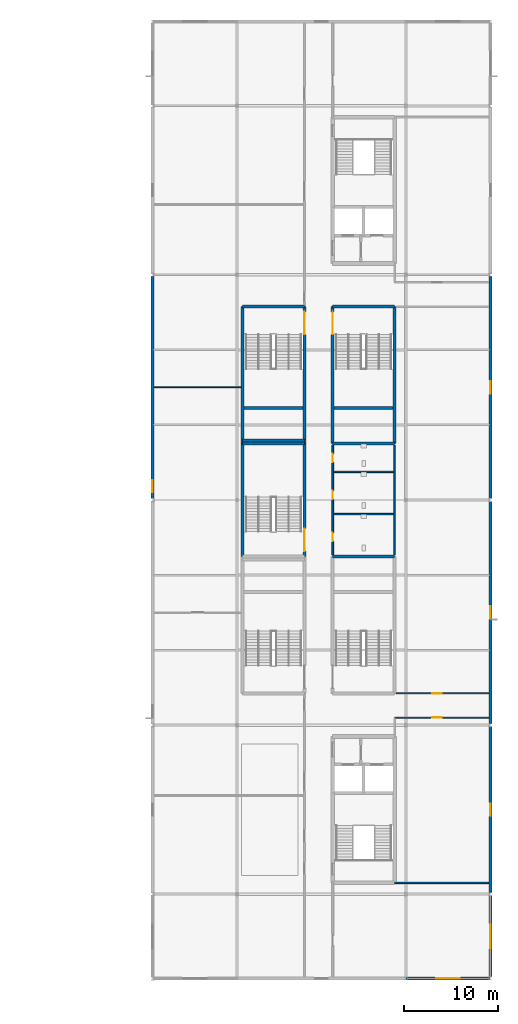
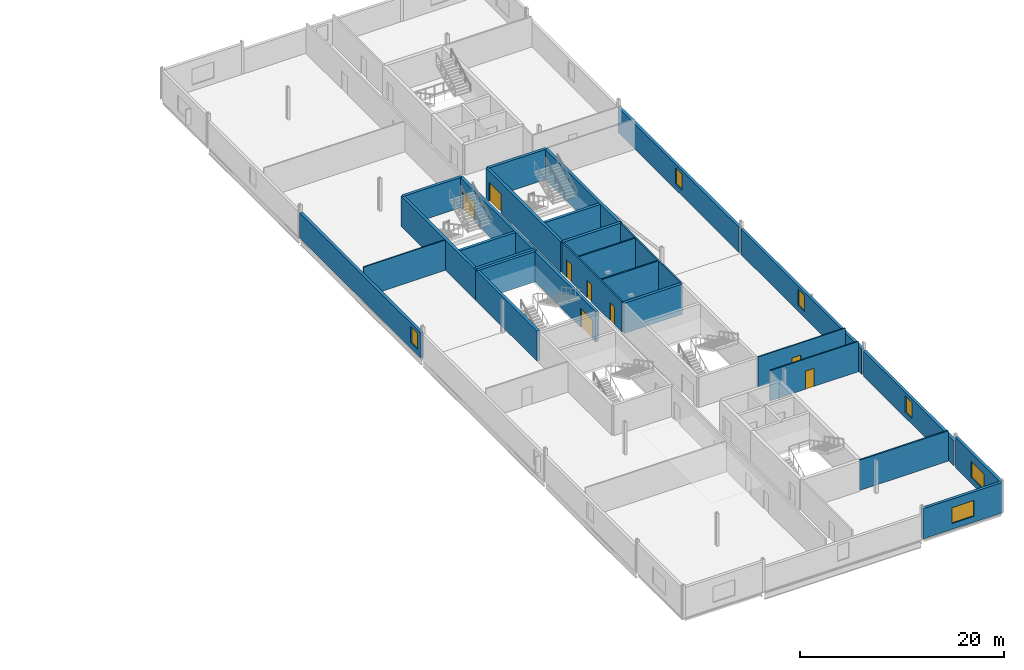
# One storey, part 19 of 31: 28 walls, 8 doors, 6 windows, 14 openings.
"""IFC4 building model written with IfcOpenShell, lengths in metres."""

import ifcopenshell
import ifcopenshell.guid

model = None  # the IFC model being written
_history = None  # IfcOwnerHistory: only IFC2X3 demands one
_inside = {}  # id of a spatial element -> (the spatial element, [elements in it])
_under = {}  # id of a project, library or spatial element -> (it, [spatial elements below it])
_declared = {}  # id of a project -> (the project, [libraries it declares])
_typed = {}  # id of a type object -> (the type object, [elements of that type])
_made_of = {}  # id of a material, layer set ... -> (it, [elements and type objects made of it])


def new_model(schema):
    """Start an empty IFC model of exactly this schema.

    Asked for "IFC4X3", IfcOpenShell would pick the latest addendum, in which some entities
    have other attributes; the version numbers below select the first issue.
    IFC2X3 requires an IfcOwnerHistory on every rooted entity: one is made here for all.
    """
    global model, _history
    if schema == "IFC4X3":
        model = ifcopenshell.file(schema_version=(4, 3, 0, 0))
    else:
        model = ifcopenshell.file(schema=schema)
    _inside.clear()
    _under.clear()
    _declared.clear()
    _typed.clear()
    _made_of.clear()
    _history = None
    if model.schema == "IFC2X3":
        org = make("IfcOrganization", Name="unknown")
        user = make(
            "IfcPersonAndOrganization",
            ThePerson=make("IfcPerson", FamilyName="unknown"),
            TheOrganization=org,
        )
        app = make(
            "IfcApplication",
            ApplicationDeveloper=org,
            Version="unknown",
            ApplicationFullName="unknown",
            ApplicationIdentifier="unknown",
        )
        _history = make(
            "IfcOwnerHistory",
            OwningUser=user,
            OwningApplication=app,
            ChangeAction="ADDED",
            CreationDate=0,
        )
    return model


def make(cls, **values):
    """One entity of the class cls with the attributes given. An attribute that is None is left unset."""
    return model.create_entity(
        cls, **{name: value for name, value in values.items() if value is not None}
    )


def rooted(cls, **values):
    """An entity with a GlobalId (a new one), such as an element, a storey or a relation."""
    return make(cls, GlobalId=ifcopenshell.guid.new(), OwnerHistory=_history, **values)


def si_unit(unit_type, name, prefix=None):
    """IfcSIUnit, for example si_unit("LENGTHUNIT", "METRE", prefix="MILLI")."""
    return make("IfcSIUnit", UnitType=unit_type, Prefix=prefix, Name=name)


def assignment(units):
    """IfcUnitAssignment: the units of a project."""
    return None if units is None else make("IfcUnitAssignment", Units=units)


def point(xyz):
    """IfcCartesianPoint."""
    return None if xyz is None else make("IfcCartesianPoint", Coordinates=xyz)


def direction(xyz):
    """IfcDirection."""
    return None if xyz is None else make("IfcDirection", DirectionRatios=xyz)


def frame(location, z_axis=None, x_axis=None):
    """IfcAxis2Placement3D, a coordinate frame: its origin and axes. An axis left out is left unset."""
    return make(
        "IfcAxis2Placement3D",
        Location=point(location),
        Axis=direction(z_axis),
        RefDirection=direction(x_axis),
    )


def frame_2d(location, x_axis=None):
    """IfcAxis2Placement2D, a coordinate frame in the plane: its origin and x axis."""
    return make(
        "IfcAxis2Placement2D", Location=point(location), RefDirection=direction(x_axis)
    )


def origin():
    """The frame at (0, 0, 0) with its axes left unset."""
    return frame((0.0, 0.0, 0.0))


def place(relative_to, where):
    """IfcLocalPlacement: puts the frame where relative to a parent placement (None: the world)."""
    return make(
        "IfcLocalPlacement", PlacementRelTo=relative_to, RelativePlacement=where
    )


def context(
    kind, dimensions, precision=None, world=None, true_north=None, identifier=None
):
    """IfcGeometricRepresentationContext, for example the 3D "Model" context."""
    return make(
        "IfcGeometricRepresentationContext",
        ContextIdentifier=identifier,
        ContextType=kind,
        CoordinateSpaceDimension=dimensions,
        Precision=precision,
        WorldCoordinateSystem=world,
        TrueNorth=true_north,
    )


def subcontext(parent, identifier, kind, view, scale=None):
    """IfcGeometricRepresentationSubContext, for example "Body" below "Model"."""
    return make(
        "IfcGeometricRepresentationSubContext",
        ContextIdentifier=identifier,
        ContextType=kind,
        ParentContext=parent,
        TargetScale=scale,
        TargetView=view,
    )


def project(units=None, contexts=None):
    """IfcProject with its units and contexts."""
    return rooted(
        "IfcProject",
        Name="project",
        RepresentationContexts=contexts,
        UnitsInContext=assignment(units),
    )


def spatial(cls, under=None, at=None, **own):
    """A site, building, storey or space (cls), placed at a placement, below another one or the project."""
    s = rooted(cls, ObjectPlacement=at, **own)
    if under is not None:
        _under.setdefault(under.id(), (under, []))[1].append(s)
    return s


def profile(cls, at=None, kind="AREA", **sizes):
    """A parametric profile (cls). Its sizes go by their IFC names, for example OverallWidth=200.0."""
    return make(cls, ProfileType=kind, Position=at, **sizes)


def rectangle(**sizes):
    """IfcRectangleProfileDef."""
    return profile("IfcRectangleProfileDef", **sizes)


def extrude(swept, where, along, depth):
    """IfcExtrudedAreaSolid: the profile swept, set in the frame where, extruded along a direction by depth."""
    return make(
        "IfcExtrudedAreaSolid",
        SweptArea=swept,
        Position=where,
        ExtrudedDirection=direction(along),
        Depth=depth,
    )


def shape(context_of_items, identifier, shape_type, items):
    """IfcShapeRepresentation: the items that make up one representation, for example the "Body"."""
    return make(
        "IfcShapeRepresentation",
        ContextOfItems=context_of_items,
        RepresentationIdentifier=identifier,
        RepresentationType=shape_type,
        Items=items,
    )


def material(Name=None, Category=None):
    """IfcMaterial."""
    return make("IfcMaterial", Name=Name, Category=Category)


def layer(
    of_material, thickness, ventilated=None, Name=None, Category=None, Priority=None
):
    """IfcMaterialLayer: one layer of a wall or slab, of a material (None: an air gap)."""
    return make(
        "IfcMaterialLayer",
        Material=of_material,
        LayerThickness=thickness,
        IsVentilated=ventilated,
        Name=Name,
        Category=Category,
        Priority=Priority,
    )


def layer_set(layers, Name=None):
    """IfcMaterialLayerSet."""
    return make("IfcMaterialLayerSet", MaterialLayers=layers, LayerSetName=Name)


def made_of(thing, what):
    """Note that an element or type object is made of a material, layer set ...; save() writes the relation."""
    if what is not None:
        _made_of.setdefault(what.id(), (what, []))[1].append(thing)
    return thing


def type_object(cls, material=None, **own):
    """A type object (cls), such as IfcWallType, which elements share."""
    return made_of(rooted(cls, **own), material)


def element(
    cls,
    number,
    at=None,
    inside=None,
    cuts=None,
    type_object=None,
    material=None,
    context=None,
    identifier="Body",
    shape_type=None,
    held_by="IfcProductDefinitionShape",
    body=None,
    shapes=None,
    **own,
):
    """One element of the class cls, such as IfcWall. Its Tag is "e" and its number.

    at: its placement. inside: the storey or other place that contains it. cuts: it is an
    opening in that element (IfcRelVoidsElement). A single representation is given by context,
    identifier, shape_type and body (its items); several are given by shapes. held_by: the class
    of the entity that holds the representations. save() writes the other relations.
    """
    e = rooted(cls, Tag="e%d" % number, ObjectPlacement=at, **own)
    if body is not None:
        shapes = [shape(context, identifier, shape_type, body)]
    if shapes is not None:
        e.Representation = make(held_by, Representations=shapes)
    if inside is not None:
        _inside.setdefault(inside.id(), (inside, []))[1].append(e)
    if cuts is not None:
        rooted(
            "IfcRelVoidsElement", RelatingBuildingElement=cuts, RelatedOpeningElement=e
        )
    if type_object is not None:
        _typed.setdefault(type_object.id(), (type_object, []))[1].append(e)
    return made_of(e, material)


def fill(opening, filler):
    """IfcRelFillsElement: the door or window that sits in an opening."""
    return rooted(
        "IfcRelFillsElement",
        RelatingOpeningElement=opening,
        RelatedBuildingElement=filler,
    )


def aggregate(whole, parts):
    """IfcRelAggregates: a whole, such as a stair, and the parts it consists of."""
    return rooted("IfcRelAggregates", RelatingObject=whole, RelatedObjects=parts)


def save(model, path):
    """Write the relations noted so far, then the file.

    IfcRelAggregates (storeys below a building ...), IfcRelContainedInSpatialStructure (elements
    in a storey), IfcRelDefinesByType, IfcRelAssociatesMaterial and IfcRelDeclares: one each for
    every whole, place, type object, material and project.
    """
    for whole, parts in _under.values():
        aggregate(whole, parts)
    for where, things in _inside.values():
        rooted(
            "IfcRelContainedInSpatialStructure",
            RelatedElements=things,
            RelatingStructure=where,
        )
    for kind, things in _typed.values():
        rooted("IfcRelDefinesByType", RelatedObjects=things, RelatingType=kind)
    for what, things in _made_of.values():
        rooted("IfcRelAssociatesMaterial", RelatedObjects=things, RelatingMaterial=what)
    for by, libraries in _declared.values():
        rooted("IfcRelDeclares", RelatingContext=by, RelatedDefinitions=libraries)
    model.write(path)


model = new_model("IFC4")

# Units and contexts
model_context = context("Model", 3, precision=1e-05, world=origin(), true_north=direction((0.0, 1.0)))
body_context = subcontext(model_context, "Body", "Model", "MODEL_VIEW")
ifc_project = project(units=[si_unit("LENGTHUNIT", "METRE"), si_unit("AREAUNIT", "SQUARE_METRE"), si_unit("VOLUMEUNIT", "CUBIC_METRE"), si_unit("PLANEANGLEUNIT", "RADIAN"), si_unit("MASSUNIT", "GRAM", prefix="KILO")], contexts=[model_context])

# Site, building, storey
site_placement = place(None, origin())
site = spatial("IfcSite", under=ifc_project, at=site_placement, CompositionType="ELEMENT")
building_placement = place(site_placement, origin())
building = spatial("IfcBuilding", under=site, at=building_placement, Name="Kisiwana Market Hall", CompositionType="ELEMENT")
storey_placement = place(building_placement, frame((0.0, 0.0, 45.60009765625)))
storey = spatial("IfcBuildingStorey", under=building, at=storey_placement, Name="L10", CompositionType="ELEMENT", Elevation=45.60009765625)

# Walls
ifc_material_1 = material(Name="Concrete C40/50", Category="concrete")
ifc_layer_1 = layer(ifc_material_1, 0.320068359375, Name="Reinforced concrete shaft wall")
ifc_layer_set_1 = layer_set([ifc_layer_1], Name="WL-CORE-320")
wall_type_1 = type_object("IfcWallType", Name="WL-CORE-320", PredefinedType="SHEAR", material=ifc_layer_set_1)
for number, where, z_axis, x_axis, name in (
    (1, (181.199951171875, 54.0, 0.0), (0.0, 0.0, 1.0), (1.0, 0.0, 0.0), "Core E3 north shear wall W-2634"),
    (2, (181.199951171875, 66.0, 0.0), (0.0, 0.0, 1.0), (1.0, 0.0, 0.0), "Core E4 south shear wall W-2638"),
    (3, (181.199951171875, 80.60009765625, 0.0), (0.0, 0.0, 1.0), (1.0, 0.0, 0.0), "Core E4 north shear wall W-2639"),
):
    element("IfcWall", number, at=place(storey_placement, frame(where, z_axis=z_axis, x_axis=x_axis)), inside=storey, type_object=wall_type_1, Name=name, PredefinedType="SHEAR", context=body_context, shape_type="SweptSolid", body=[
        extrude(rectangle(XDim=6.60009765625, YDim=0.320068359375, at=frame_2d((3.300048828125, 0.0))), origin(), (0.0, 0.0, 1.0), 3.619873046875),
    ])

# Wall, opening, door
wall_1_placement = place(storey_placement, frame((181.199951171875, 66.0, 0.0), z_axis=(0.0, 0.0, 1.0), x_axis=(0.0, 1.0, 0.0)))
wall_1 = element("IfcWall", 4, at=wall_1_placement, inside=storey, type_object=wall_type_1, Name="Core E4 corridor shear wall W-2640", PredefinedType="SHEAR", context=body_context, shape_type="SweptSolid", body=[
    extrude(rectangle(XDim=14.60009765625, YDim=0.320068359375, at=frame_2d((7.300048828125, 0.0))), origin(), (0.0, 0.0, 1.0), 3.619873046875),
])
opening_1_placement = place(wall_1_placement, frame((11.64990234375, 0.0, 0.0)))
opening_1 = element("IfcOpeningElement", 5, at=opening_1_placement, cuts=wall_1, Name="Opening DR-L10-016", PredefinedType="OPENING", context=body_context, shape_type="SweptSolid", body=[
    extrude(rectangle(XDim=2.39990234375, YDim=2.25, at=frame_2d((1.199951171875, 1.125))), frame((0.0, 0.171875, 0.0), z_axis=(0.0, -1.0, 0.0), x_axis=(1.0, 0.0, 0.0)), (0.0, 0.0, 1.0), 0.343994140625),
])
ifc_material_2 = material(Name="Steel S275", Category="steel")
door_type_1 = type_object("IfcDoorType", Name="DR-STAIR-FD120-2400", OperationType="DOUBLE_DOOR_SINGLE_SWING", PredefinedType="DOOR", material=ifc_material_2)
door_1_placement = place(opening_1_placement, frame((2.39990234375, 0.0, 0.0), z_axis=(0.0, 0.0, 1.0), x_axis=(-1.0, 0.0, 0.0)))
door_1 = element("IfcDoor", 6, at=door_1_placement, inside=storey, type_object=door_type_1, Name="Escape Stair E4 Fire Door (L10)", OperationType="DOUBLE_DOOR_SINGLE_SWING", OverallHeight=2.25, OverallWidth=2.39990234375, PredefinedType="DOOR", context=body_context, shape_type="SweptSolid", body=[
    extrude(rectangle(XDim=2.39990234375, YDim=2.25, at=frame_2d((1.199951171875, 1.125))), frame((0.0, 0.02490234375, 0.0), z_axis=(0.0, -1.0, 0.0), x_axis=(1.0, 0.0, 0.0)), (0.0, 0.0, 1.0), 0.050048828125),
])
fill(opening_1, door_1)

# Walls
wall_2_placement = place(storey_placement, frame((187.800048828125, 66.0, 0.0), z_axis=(0.0, 0.0, 1.0), x_axis=(0.0, 1.0, 0.0)))
element("IfcWall", 7, at=wall_2_placement, inside=storey, type_object=wall_type_1, Name="Core E4 outer shear wall W-2641", PredefinedType="SHEAR", context=body_context, shape_type="SweptSolid", body=[
    extrude(rectangle(XDim=14.60009765625, YDim=0.320068359375, at=frame_2d((7.300048828125, 0.0))), origin(), (0.0, 0.0, 1.0), 3.619873046875),
])
wall_3_placement = place(storey_placement, frame((181.360107421875, 69.780029296875, 0.0), z_axis=(0.0, 0.0, 1.0), x_axis=(1.0, 0.0, 0.0)))
element("IfcWall", 8, at=wall_3_placement, inside=storey, type_object=wall_type_1, Name="Core E4 riser divider shear wall W-2642", PredefinedType="SHEAR", context=body_context, shape_type="SweptSolid", body=[
    extrude(rectangle(XDim=6.27978515625, YDim=0.320068359375, at=frame_2d((3.139892578125, 0.0))), origin(), (0.0, 0.0, 1.0), 3.619873046875),
])
for number, where, z_axis, x_axis, name in (
    (9, (171.60009765625, 66.0, 0.0), (0.0, 0.0, 1.0), (1.0, 0.0, 0.0), "Core E8 south shear wall W-2658"),
    (10, (171.60009765625, 80.60009765625, 0.0), (0.0, 0.0, 1.0), (1.0, 0.0, 0.0), "Core E8 north shear wall W-2659"),
):
    element("IfcWall", number, at=place(storey_placement, frame(where, z_axis=z_axis, x_axis=x_axis)), inside=storey, type_object=wall_type_1, Name=name, PredefinedType="SHEAR", context=body_context, shape_type="SweptSolid", body=[
        extrude(rectangle(XDim=6.599853515625, YDim=0.320068359375, at=frame_2d((3.2998046875, 0.0))), origin(), (0.0, 0.0, 1.0), 3.619873046875),
    ])
wall_4_placement = place(storey_placement, frame((171.60009765625, 66.0, 0.0), z_axis=(0.0, 0.0, 1.0), x_axis=(0.0, 1.0, 0.0)))
element("IfcWall", 11, at=wall_4_placement, inside=storey, type_object=wall_type_1, Name="Core E8 outer shear wall W-2660", PredefinedType="SHEAR", context=body_context, shape_type="SweptSolid", body=[
    extrude(rectangle(XDim=14.60009765625, YDim=0.320068359375, at=frame_2d((7.300048828125, 0.0))), origin(), (0.0, 0.0, 1.0), 3.619873046875),
])

# Wall, opening, door
wall_5_placement = place(storey_placement, frame((178.199951171875, 66.0, 0.0), z_axis=(0.0, 0.0, 1.0), x_axis=(0.0, 1.0, 0.0)))
wall_5 = element("IfcWall", 12, at=wall_5_placement, inside=storey, type_object=wall_type_1, Name="Core E8 corridor shear wall W-2661", PredefinedType="SHEAR", context=body_context, shape_type="SweptSolid", body=[
    extrude(rectangle(XDim=14.60009765625, YDim=0.320068359375, at=frame_2d((7.300048828125, 0.0))), origin(), (0.0, 0.0, 1.0), 3.619873046875),
])
opening_2_placement = place(wall_5_placement, frame((11.64990234375, 0.0, 0.0)))
opening_2 = element("IfcOpeningElement", 13, at=opening_2_placement, cuts=wall_5, Name="Opening DR-L10-020", PredefinedType="OPENING", context=body_context, shape_type="SweptSolid", body=[
    extrude(rectangle(XDim=2.39990234375, YDim=2.25, at=frame_2d((1.199951171875, 1.125))), frame((0.0, 0.171875, 0.0), z_axis=(0.0, -1.0, 0.0), x_axis=(1.0, 0.0, 0.0)), (0.0, 0.0, 1.0), 0.343994140625),
])
door_2_placement = place(opening_2_placement, origin())
door_2 = element("IfcDoor", 14, at=door_2_placement, inside=storey, type_object=door_type_1, Name="Escape Stair E8 Fire Door (L10)", OperationType="DOUBLE_DOOR_SINGLE_SWING", OverallHeight=2.25, OverallWidth=2.39990234375, PredefinedType="DOOR", context=body_context, shape_type="SweptSolid", body=[
    extrude(rectangle(XDim=2.39990234375, YDim=2.25, at=frame_2d((1.199951171875, 1.125))), frame((0.0, 0.02490234375, 0.0), z_axis=(0.0, -1.0, 0.0), x_axis=(1.0, 0.0, 0.0)), (0.0, 0.0, 1.0), 0.050048828125),
])
fill(opening_2, door_2)

# Walls
wall_6_placement = place(storey_placement, frame((171.760009765625, 69.780029296875, 0.0), z_axis=(0.0, 0.0, 1.0), x_axis=(1.0, 0.0, 0.0)))
element("IfcWall", 15, at=wall_6_placement, inside=storey, type_object=wall_type_1, Name="Core E8 riser divider shear wall W-2662", PredefinedType="SHEAR", context=body_context, shape_type="SweptSolid", body=[
    extrude(rectangle(XDim=6.280029296875, YDim=0.320068359375, at=frame_2d((3.14013671875, 0.0))), origin(), (0.0, 0.0, 1.0), 3.619873046875),
])
wall_7_placement = place(storey_placement, frame((171.60009765625, 66.320068359375, 0.0), z_axis=(0.0, 0.0, 1.0), x_axis=(1.0, 0.0, 0.0)))
element("IfcWall", 16, at=wall_7_placement, inside=storey, type_object=wall_type_1, Name="Core E5 north shear wall W-2668", PredefinedType="SHEAR", context=body_context, shape_type="SweptSolid", body=[
    extrude(rectangle(XDim=6.599853515625, YDim=0.320068359375, at=frame_2d((3.2998046875, 0.0))), origin(), (0.0, 0.0, 1.0), 3.619873046875),
])
wall_8_placement = place(storey_placement, frame((171.60009765625, 54.0, 0.0), z_axis=(0.0, 0.0, 1.0), x_axis=(0.0, 1.0, 0.0)))
element("IfcWall", 17, at=wall_8_placement, inside=storey, type_object=wall_type_1, Name="Core E5 outer shear wall W-2669", PredefinedType="SHEAR", context=body_context, shape_type="SweptSolid", body=[
    extrude(rectangle(XDim=12.0, YDim=0.320068359375, at=frame_2d((6.0, 0.0))), origin(), (0.0, 0.0, 1.0), 3.619873046875),
])

# Wall, opening, door
wall_9_placement = place(storey_placement, frame((178.199951171875, 54.0, 0.0), z_axis=(0.0, 0.0, 1.0), x_axis=(0.0, 1.0, 0.0)))
wall_9 = element("IfcWall", 18, at=wall_9_placement, inside=storey, type_object=wall_type_1, Name="Core E5 corridor shear wall W-2670", PredefinedType="SHEAR", context=body_context, shape_type="SweptSolid", body=[
    extrude(rectangle(XDim=12.0, YDim=0.320068359375, at=frame_2d((6.0, 0.0))), origin(), (0.0, 0.0, 1.0), 3.619873046875),
])
opening_3_placement = place(wall_9_placement, frame((0.550048828125, 0.0, 0.0)))
opening_3 = element("IfcOpeningElement", 19, at=opening_3_placement, cuts=wall_9, Name="Opening DR-L10-022", PredefinedType="OPENING", context=body_context, shape_type="SweptSolid", body=[
    extrude(rectangle(XDim=2.39990234375, YDim=2.25, at=frame_2d((1.199951171875, 1.125))), frame((0.0, 0.171875, 0.0), z_axis=(0.0, -1.0, 0.0), x_axis=(1.0, 0.0, 0.0)), (0.0, 0.0, 1.0), 0.343994140625),
])
door_3_placement = place(opening_3_placement, origin())
door_3 = element("IfcDoor", 20, at=door_3_placement, inside=storey, type_object=door_type_1, Name="Escape Stair E5 Fire Door (L10)", OperationType="DOUBLE_DOOR_SINGLE_SWING", OverallHeight=2.25, OverallWidth=2.39990234375, PredefinedType="DOOR", context=body_context, shape_type="SweptSolid", body=[
    extrude(rectangle(XDim=2.39990234375, YDim=2.25, at=frame_2d((1.199951171875, 1.125))), frame((0.0, 0.02490234375, 0.0), z_axis=(0.0, -1.0, 0.0), x_axis=(1.0, 0.0, 0.0)), (0.0, 0.0, 1.0), 0.050048828125),
])
fill(opening_3, door_3)

# Wall
ifc_material_3 = material(Name="Masonry blockwork", Category="masonry")
ifc_layer_2 = layer(ifc_material_3, 0.169921875, Name="Protected corridor partition")
ifc_layer_set_2 = layer_set([ifc_layer_2], Name="WL-CORR-170")
wall_type_2 = type_object("IfcWallType", Name="WL-CORR-170", PredefinedType="PARTITIONING", material=ifc_layer_set_2)
wall_10_placement = place(storey_placement, frame((187.800048828125, 54.159912109375, 0.0), z_axis=(0.0, 0.0, 1.0), x_axis=(0.0, 1.0, 0.0)))
element("IfcWall", 21, at=wall_10_placement, inside=storey, type_object=wall_type_2, Name="Interior partition W-2731", PredefinedType="PARTITIONING", context=body_context, shape_type="SweptSolid", body=[
    extrude(rectangle(XDim=11.68017578125, YDim=0.169921875, at=frame_2d((5.840087890625, 0.0))), origin(), (0.0, 0.0, 1.0), 3.619873046875),
])

# Wall, openings, doors
wall_11_placement = place(storey_placement, frame((181.199951171875, 54.159912109375, 0.0), z_axis=(0.0, 0.0, 1.0), x_axis=(0.0, 1.0, 0.0)))
wall_11 = element("IfcWall", 22, at=wall_11_placement, inside=storey, type_object=wall_type_2, Name="Interior partition W-2732", PredefinedType="PARTITIONING", context=body_context, shape_type="SweptSolid", body=[
    extrude(rectangle(XDim=11.68017578125, YDim=0.169921875, at=frame_2d((5.840087890625, 0.0))), origin(), (0.0, 0.0, 1.0), 3.619873046875),
])
opening_4_placement = place(wall_11_placement, frame((1.43994140625, 0.0, 0.0)))
opening_4 = element("IfcOpeningElement", 23, at=opening_4_placement, cuts=wall_11, Name="Opening DR-L10-039", PredefinedType="OPENING", context=body_context, shape_type="SweptSolid", body=[
    extrude(rectangle(XDim=0.89990234375, YDim=2.10009765625, at=frame_2d((0.449951171875, 1.050048828125))), frame((0.0, 0.096923828125, 0.0), z_axis=(0.0, -1.0, 0.0), x_axis=(1.0, 0.0, 0.0)), (0.0, 0.0, 1.0), 0.19384765625),
])
opening_5_placement = place(wall_11_placement, frame((5.93994140625, 0.0, 0.0)))
opening_5 = element("IfcOpeningElement", 24, at=opening_5_placement, cuts=wall_11, Name="Opening DR-L10-040", PredefinedType="OPENING", context=body_context, shape_type="SweptSolid", body=[
    extrude(rectangle(XDim=0.89990234375, YDim=2.10009765625, at=frame_2d((0.449951171875, 1.050048828125))), frame((0.0, 0.096923828125, 0.0), z_axis=(0.0, -1.0, 0.0), x_axis=(1.0, 0.0, 0.0)), (0.0, 0.0, 1.0), 0.19384765625),
])
opening_6_placement = place(wall_11_placement, frame((9.840087890625, 0.0, 0.0)))
opening_6 = element("IfcOpeningElement", 25, at=opening_6_placement, cuts=wall_11, Name="Opening DR-L10-041", PredefinedType="OPENING", context=body_context, shape_type="SweptSolid", body=[
    extrude(rectangle(XDim=0.949951171875, YDim=2.10009765625, at=frame_2d((0.47509765625, 1.050048828125))), frame((0.0, 0.096923828125, 0.0), z_axis=(0.0, -1.0, 0.0), x_axis=(1.0, 0.0, 0.0)), (0.0, 0.0, 1.0), 0.19384765625),
])
ifc_material_4 = material(Name="Aluminium alloy 6063-T6", Category="aluminium")
door_type_2 = type_object("IfcDoorType", Name="DR-WC-ACC-950", OperationType="NOTDEFINED", PredefinedType="DOOR", material=ifc_material_4)
door_4_placement = place(opening_6_placement, frame((0.949951171875, 0.0, 0.0), z_axis=(0.0, 0.0, 1.0), x_axis=(-1.0, 0.0, 0.0)))
door_4 = element("IfcDoor", 26, at=door_4_placement, inside=storey, type_object=door_type_2, Name="L10 E Accessible WC Door", OperationType="SINGLE_SWING_LEFT", OverallHeight=2.10009765625, OverallWidth=0.949951171875, PredefinedType="DOOR", context=body_context, shape_type="SweptSolid", body=[
    extrude(rectangle(XDim=0.949951171875, YDim=2.10009765625, at=frame_2d((0.47509765625, 1.050048828125))), frame((0.0, 0.02490234375, 0.0), z_axis=(0.0, -1.0, 0.0), x_axis=(1.0, 0.0, 0.0)), (0.0, 0.0, 1.0), 0.050048828125),
])
fill(opening_6, door_4)
ifc_material_5 = material(Name="Aluminium alloy 6063-T6", Category="aluminium")
door_type_3 = type_object("IfcDoorType", Name="DR-WC-STD-900", OperationType="NOTDEFINED", PredefinedType="DOOR", material=ifc_material_5)
door_5_placement = place(opening_4_placement, frame((0.89990234375, 0.0, 0.0), z_axis=(0.0, 0.0, 1.0), x_axis=(-1.0, 0.0, 0.0)))
door_5 = element("IfcDoor", 27, at=door_5_placement, inside=storey, type_object=door_type_3, Name="L10 E Male Toilet Door", OperationType="SINGLE_SWING_RIGHT", OverallHeight=2.10009765625, OverallWidth=0.89990234375, PredefinedType="DOOR", context=body_context, shape_type="SweptSolid", body=[
    extrude(rectangle(XDim=0.89990234375, YDim=2.10009765625, at=frame_2d((0.449951171875, 1.050048828125))), frame((0.0, 0.02490234375, 0.0), z_axis=(0.0, -1.0, 0.0), x_axis=(1.0, 0.0, 0.0)), (0.0, 0.0, 1.0), 0.050048828125),
])
fill(opening_4, door_5)
door_6_placement = place(opening_5_placement, frame((0.89990234375, 0.0, 0.0), z_axis=(0.0, 0.0, 1.0), x_axis=(-1.0, 0.0, 0.0)))
door_6 = element("IfcDoor", 28, at=door_6_placement, inside=storey, type_object=door_type_3, Name="L10 E Female Toilet Door", OperationType="SINGLE_SWING_LEFT", OverallHeight=2.10009765625, OverallWidth=0.89990234375, PredefinedType="DOOR", context=body_context, shape_type="SweptSolid", body=[
    extrude(rectangle(XDim=0.89990234375, YDim=2.10009765625, at=frame_2d((0.449951171875, 1.050048828125))), frame((0.0, 0.02490234375, 0.0), z_axis=(0.0, -1.0, 0.0), x_axis=(1.0, 0.0, 0.0)), (0.0, 0.0, 1.0), 0.050048828125),
])
fill(opening_5, door_6)

# Wall
wall_12_placement = place(storey_placement, frame((187.800048828125, 19.199951171875, 0.0), z_axis=(0.0, 0.0, 1.0), x_axis=(1.0, 0.0, 0.0)))
element("IfcWall", 29, at=wall_12_placement, inside=storey, type_object=wall_type_2, Name="Interior partition W-2737", PredefinedType="PARTITIONING", context=body_context, shape_type="SweptSolid", body=[
    extrude(rectangle(XDim=10.017333984375, YDim=0.169921875, at=frame_2d((5.0087890625, 0.0))), origin(), (0.0, 0.0, 1.0), 3.619873046875),
])

# Wall, opening, window
ifc_material_6 = material(Name="Concrete C40/50 precast", Category="concrete")
ifc_layer_3 = layer(ifc_material_6, 0.31494140625)
ifc_layer_set_3 = layer_set([ifc_layer_3], Name="WL-EXT-315")
wall_type_3 = type_object("IfcWallType", Name="WL-EXT-315", PredefinedType="STANDARD", material=ifc_layer_set_3)
wall_13_placement = place(storey_placement, frame((189.010009765625, 9.0, 0.0), z_axis=(0.0, 0.0, 1.0), x_axis=(1.0, 0.0, 0.0)))
wall_13 = element("IfcWall", 30, at=wall_13_placement, inside=storey, type_object=wall_type_3, Name="Exterior wall W-2676", PredefinedType="STANDARD", context=body_context, shape_type="SweptSolid", body=[
    extrude(rectangle(XDim=8.97998046875, YDim=0.31494140625, at=frame_2d((4.489990234375, 0.0))), origin(), (0.0, 0.0, 1.0), 3.619873046875),
])
opening_7_placement = place(wall_13_placement, frame((3.239990234375, 0.0, 0.699951171875)))
opening_7 = element("IfcOpeningElement", 31, at=opening_7_placement, cuts=wall_13, Name="Opening WN-17", PredefinedType="OPENING", context=body_context, shape_type="SweptSolid", body=[
    extrude(rectangle(XDim=2.5, YDim=1.89990234375, at=frame_2d((1.25, 0.949951171875))), frame((0.0, 0.16943359375, 0.0), z_axis=(0.0, -1.0, 0.0), x_axis=(1.0, 0.0, 0.0)), (0.0, 0.0, 1.0), 0.3388671875),
])
ifc_material_7 = material(Name="Double-glazed solar-control low-E IGU", Category="glass")
window_type_1 = type_object("IfcWindowType", Name="WN-OFFB-2500x1900", PartitioningType="SINGLE_PANEL", PredefinedType="WINDOW", material=ifc_material_7)
window_1_placement = place(opening_7_placement, origin())
window_1 = element("IfcWindow", 32, at=window_1_placement, inside=storey, type_object=window_type_1, Name="Exterior window WN-317", OverallHeight=1.89990234375, OverallWidth=2.5, PartitioningType="SINGLE_PANEL", PredefinedType="WINDOW", context=body_context, shape_type="SweptSolid", body=[
    extrude(rectangle(XDim=2.5, YDim=1.89990234375, at=frame_2d((1.25, 0.949951171875))), frame((0.0, 0.030029296875, 0.0), z_axis=(0.0, -1.0, 0.0), x_axis=(1.0, 0.0, 0.0)), (0.0, 0.0, 1.0), 0.06005859375),
])
fill(opening_7, window_1)

wall_14_placement = place(storey_placement, frame((162.0, 60.159912109375, 0.0), z_axis=(0.0, 0.0, 1.0), x_axis=(0.0, 1.0, 0.0)))
wall_14 = element("IfcWall", 33, at=wall_14_placement, inside=storey, type_object=wall_type_3, Name="Exterior wall W-2698", PredefinedType="STANDARD", context=body_context, shape_type="SweptSolid", body=[
    extrude(rectangle(XDim=23.68017578125, YDim=0.31494140625, at=frame_2d((11.840087890625, 0.0))), origin(), (0.0, 0.0, 1.0), 3.0078125),
])
opening_8_placement = place(wall_14_placement, frame((0.64990234375, 0.0, 0.699951171875)))
opening_8 = element("IfcOpeningElement", 34, at=opening_8_placement, cuts=wall_14, Name="Opening WN-08", PredefinedType="OPENING", context=body_context, shape_type="SweptSolid", body=[
    extrude(rectangle(XDim=1.300048828125, YDim=1.89990234375, at=frame_2d((0.64990234375, 0.949951171875))), frame((0.0, 0.16943359375, 0.0), z_axis=(0.0, -1.0, 0.0), x_axis=(1.0, 0.0, 0.0)), (0.0, 0.0, 1.0), 0.3388671875),
])
ifc_material_8 = material(Name="Double-glazed solar-control low-E IGU", Category="glass")
window_type_2 = type_object("IfcWindowType", Name="WN-OFFB-1300x1900", PartitioningType="SINGLE_PANEL", PredefinedType="WINDOW", material=ifc_material_8)
window_2_placement = place(opening_8_placement, origin())
window_2 = element("IfcWindow", 35, at=window_2_placement, inside=storey, type_object=window_type_2, Name="Exterior window WN-308", OverallHeight=1.89990234375, OverallWidth=1.300048828125, PartitioningType="SINGLE_PANEL", PredefinedType="WINDOW", context=body_context, shape_type="SweptSolid", body=[
    extrude(rectangle(XDim=1.300048828125, YDim=1.89990234375, at=frame_2d((0.64990234375, 0.949951171875))), frame((0.0, 0.030029296875, 0.0), z_axis=(0.0, -1.0, 0.0), x_axis=(1.0, 0.0, 0.0)), (0.0, 0.0, 1.0), 0.06005859375),
])
fill(opening_8, window_2)

wall_15_placement = place(storey_placement, frame((198.0, 9.159912109375, 0.0), z_axis=(0.0, 0.0, 1.0), x_axis=(0.0, 1.0, 0.0)))
wall_15 = element("IfcWall", 36, at=wall_15_placement, inside=storey, type_object=wall_type_3, Name="Exterior wall W-2701", PredefinedType="STANDARD", context=body_context, shape_type="SweptSolid", body=[
    extrude(rectangle(XDim=8.680419921875, YDim=0.31494140625, at=frame_2d((4.34033203125, 0.0))), origin(), (0.0, 0.0, 1.0), 3.619873046875),
])
opening_9_placement = place(wall_15_placement, frame((3.09033203125, 0.0, 0.699951171875)))
opening_9 = element("IfcOpeningElement", 37, at=opening_9_placement, cuts=wall_15, Name="Opening WN-17", PredefinedType="OPENING", context=body_context, shape_type="SweptSolid", body=[
    extrude(rectangle(XDim=2.5, YDim=1.89990234375, at=frame_2d((1.25, 0.949951171875))), frame((0.0, 0.16943359375, 0.0), z_axis=(0.0, -1.0, 0.0), x_axis=(1.0, 0.0, 0.0)), (0.0, 0.0, 1.0), 0.3388671875),
])
window_3_placement = place(opening_9_placement, origin())
window_3 = element("IfcWindow", 38, at=window_3_placement, inside=storey, type_object=window_type_1, Name="Exterior window WN-328", OverallHeight=1.89990234375, OverallWidth=2.5, PartitioningType="SINGLE_PANEL", PredefinedType="WINDOW", context=body_context, shape_type="SweptSolid", body=[
    extrude(rectangle(XDim=2.5, YDim=1.89990234375, at=frame_2d((1.25, 0.949951171875))), frame((0.0, 0.030029296875, 0.0), z_axis=(0.0, -1.0, 0.0), x_axis=(1.0, 0.0, 0.0)), (0.0, 0.0, 1.0), 0.06005859375),
])
fill(opening_9, window_3)

wall_16_placement = place(storey_placement, frame((198.0, 18.15966796875, 0.0), z_axis=(0.0, 0.0, 1.0), x_axis=(0.0, 1.0, 0.0)))
wall_16 = element("IfcWall", 39, at=wall_16_placement, inside=storey, type_object=wall_type_3, Name="Exterior wall W-2702", PredefinedType="STANDARD", context=body_context, shape_type="SweptSolid", body=[
    extrude(rectangle(XDim=17.680419921875, YDim=0.31494140625, at=frame_2d((8.84033203125, 0.0))), origin(), (0.0, 0.0, 1.0), 3.0078125),
])
opening_10_placement = place(wall_16_placement, frame((8.190185546875, 0.0, 0.699951171875)))
opening_10 = element("IfcOpeningElement", 40, at=opening_10_placement, cuts=wall_16, Name="Opening WN-08", PredefinedType="OPENING", context=body_context, shape_type="SweptSolid", body=[
    extrude(rectangle(XDim=1.300048828125, YDim=1.89990234375, at=frame_2d((0.64990234375, 0.949951171875))), frame((0.0, 0.16943359375, 0.0), z_axis=(0.0, -1.0, 0.0), x_axis=(1.0, 0.0, 0.0)), (0.0, 0.0, 1.0), 0.3388671875),
])
window_4_placement = place(opening_10_placement, origin())
window_4 = element("IfcWindow", 41, at=window_4_placement, inside=storey, type_object=window_type_2, Name="Exterior window WN-310", OverallHeight=1.89990234375, OverallWidth=1.300048828125, PartitioningType="SINGLE_PANEL", PredefinedType="WINDOW", context=body_context, shape_type="SweptSolid", body=[
    extrude(rectangle(XDim=1.300048828125, YDim=1.89990234375, at=frame_2d((0.64990234375, 0.949951171875))), frame((0.0, 0.030029296875, 0.0), z_axis=(0.0, -1.0, 0.0), x_axis=(1.0, 0.0, 0.0)), (0.0, 0.0, 1.0), 0.06005859375),
])
fill(opening_10, window_4)

wall_17_placement = place(storey_placement, frame((198.0, 36.159912109375, 0.0), z_axis=(0.0, 0.0, 1.0), x_axis=(0.0, 1.0, 0.0)))
wall_17 = element("IfcWall", 42, at=wall_17_placement, inside=storey, type_object=wall_type_3, Name="Exterior wall W-2703", PredefinedType="STANDARD", context=body_context, shape_type="SweptSolid", body=[
    extrude(rectangle(XDim=23.68017578125, YDim=0.31494140625, at=frame_2d((11.840087890625, 0.0))), origin(), (0.0, 0.0, 1.0), 3.0078125),
])
opening_11_placement = place(wall_17_placement, frame((11.190185546875, 0.0, 0.699951171875)))
opening_11 = element("IfcOpeningElement", 43, at=opening_11_placement, cuts=wall_17, Name="Opening WN-08", PredefinedType="OPENING", context=body_context, shape_type="SweptSolid", body=[
    extrude(rectangle(XDim=1.300048828125, YDim=1.89990234375, at=frame_2d((0.64990234375, 0.949951171875))), frame((0.0, 0.16943359375, 0.0), z_axis=(0.0, -1.0, 0.0), x_axis=(1.0, 0.0, 0.0)), (0.0, 0.0, 1.0), 0.3388671875),
])
window_5_placement = place(opening_11_placement, origin())
window_5 = element("IfcWindow", 44, at=window_5_placement, inside=storey, type_object=window_type_2, Name="Exterior window WN-311", OverallHeight=1.89990234375, OverallWidth=1.300048828125, PartitioningType="SINGLE_PANEL", PredefinedType="WINDOW", context=body_context, shape_type="SweptSolid", body=[
    extrude(rectangle(XDim=1.300048828125, YDim=1.89990234375, at=frame_2d((0.64990234375, 0.949951171875))), frame((0.0, 0.030029296875, 0.0), z_axis=(0.0, -1.0, 0.0), x_axis=(1.0, 0.0, 0.0)), (0.0, 0.0, 1.0), 0.06005859375),
])
fill(opening_11, window_5)

wall_18_placement = place(storey_placement, frame((198.0, 60.159912109375, 0.0), z_axis=(0.0, 0.0, 1.0), x_axis=(0.0, 1.0, 0.0)))
wall_18 = element("IfcWall", 45, at=wall_18_placement, inside=storey, type_object=wall_type_3, Name="Exterior wall W-2704", PredefinedType="STANDARD", context=body_context, shape_type="SweptSolid", body=[
    extrude(rectangle(XDim=23.68017578125, YDim=0.31494140625, at=frame_2d((11.840087890625, 0.0))), origin(), (0.0, 0.0, 1.0), 3.0078125),
])
opening_12_placement = place(wall_18_placement, frame((11.190185546875, 0.0, 0.699951171875)))
opening_12 = element("IfcOpeningElement", 46, at=opening_12_placement, cuts=wall_18, Name="Opening WN-08", PredefinedType="OPENING", context=body_context, shape_type="SweptSolid", body=[
    extrude(rectangle(XDim=1.300048828125, YDim=1.89990234375, at=frame_2d((0.64990234375, 0.949951171875))), frame((0.0, 0.16943359375, 0.0), z_axis=(0.0, -1.0, 0.0), x_axis=(1.0, 0.0, 0.0)), (0.0, 0.0, 1.0), 0.3388671875),
])
window_6_placement = place(opening_12_placement, origin())
window_6 = element("IfcWindow", 47, at=window_6_placement, inside=storey, type_object=window_type_2, Name="Exterior window WN-312", OverallHeight=1.89990234375, OverallWidth=1.300048828125, PartitioningType="SINGLE_PANEL", PredefinedType="WINDOW", context=body_context, shape_type="SweptSolid", body=[
    extrude(rectangle(XDim=1.300048828125, YDim=1.89990234375, at=frame_2d((0.64990234375, 0.949951171875))), frame((0.0, 0.030029296875, 0.0), z_axis=(0.0, -1.0, 0.0), x_axis=(1.0, 0.0, 0.0)), (0.0, 0.0, 1.0), 0.06005859375),
])
fill(opening_12, window_6)

# Wall, opening, door
ifc_material_9 = material(Name="Gypsum plasterboard")
ifc_layer_4 = layer(ifc_material_9, 0.125, Name="Double gypsum board + acoustic stud")
ifc_layer_set_4 = layer_set([ifc_layer_4], Name="WL-OFF-125")
wall_type_4 = type_object("IfcWallType", Name="WL-OFF-125", PredefinedType="PARTITIONING", material=ifc_layer_set_4)
wall_19_placement = place(storey_placement, frame((187.800048828125, 36.800048828125, 0.0), z_axis=(0.0, 0.0, 1.0), x_axis=(1.0, 0.0, 0.0)))
wall_19 = element("IfcWall", 48, at=wall_19_placement, inside=storey, type_object=wall_type_4, Name="Interior partition W-2739", PredefinedType="PARTITIONING", context=body_context, shape_type="SweptSolid", body=[
    extrude(rectangle(XDim=10.017333984375, YDim=0.125, at=frame_2d((5.0087890625, 0.0))), origin(), (0.0, 0.0, 1.0), 3.619873046875),
])
opening_13_placement = place(wall_19_placement, frame((4.0, 0.0, 0.0)))
opening_13 = element("IfcOpeningElement", 49, at=opening_13_placement, cuts=wall_19, Name="Opening DR-L10-042", PredefinedType="OPENING", context=body_context, shape_type="SweptSolid", body=[
    extrude(rectangle(XDim=1.0, YDim=2.14990234375, at=frame_2d((0.5, 1.074951171875))), frame((0.0, 0.074462890625, 0.0), z_axis=(0.0, -1.0, 0.0), x_axis=(1.0, 0.0, 0.0)), (0.0, 0.0, 1.0), 0.14892578125),
])
ifc_material_10 = material(Name="Aluminium alloy 6063-T6", Category="aluminium")
door_type_4 = type_object("IfcDoorType", Name="DR-OFF-1000", OperationType="NOTDEFINED", PredefinedType="DOOR", material=ifc_material_10)
door_7_placement = place(opening_13_placement, frame((1.0, 0.0, 0.0), z_axis=(0.0, 0.0, 1.0), x_axis=(-1.0, 0.0, 0.0)))
door_7 = element("IfcDoor", 50, at=door_7_placement, inside=storey, type_object=door_type_4, Name="L10 E Commercial Office South Door", OperationType="SINGLE_SWING_RIGHT", OverallHeight=2.14990234375, OverallWidth=1.0, PredefinedType="DOOR", context=body_context, shape_type="SweptSolid", body=[
    extrude(rectangle(XDim=1.0, YDim=2.14990234375, at=frame_2d((0.5, 1.074951171875))), frame((0.0, 0.02490234375, 0.0), z_axis=(0.0, -1.0, 0.0), x_axis=(1.0, 0.0, 0.0)), (0.0, 0.0, 1.0), 0.050048828125),
])
fill(opening_13, door_7)

wall_20_placement = place(storey_placement, frame((187.9599609375, 39.39990234375, 0.0), z_axis=(0.0, 0.0, 1.0), x_axis=(1.0, 0.0, 0.0)))
wall_20 = element("IfcWall", 51, at=wall_20_placement, inside=storey, type_object=wall_type_4, Name="Interior partition W-2740", PredefinedType="PARTITIONING", context=body_context, shape_type="SweptSolid", body=[
    extrude(rectangle(XDim=9.857421875, YDim=0.125, at=frame_2d((4.9287109375, 0.0))), origin(), (0.0, 0.0, 1.0), 3.619873046875),
])
opening_14_placement = place(wall_20_placement, frame((3.840087890625, 0.0, 0.0)))
opening_14 = element("IfcOpeningElement", 52, at=opening_14_placement, cuts=wall_20, Name="Opening DR-L10-043", PredefinedType="OPENING", context=body_context, shape_type="SweptSolid", body=[
    extrude(rectangle(XDim=1.0, YDim=2.14990234375, at=frame_2d((0.5, 1.074951171875))), frame((0.0, 0.074462890625, 0.0), z_axis=(0.0, -1.0, 0.0), x_axis=(1.0, 0.0, 0.0)), (0.0, 0.0, 1.0), 0.14892578125),
])
door_8_placement = place(opening_14_placement, origin())
door_8 = element("IfcDoor", 53, at=door_8_placement, inside=storey, type_object=door_type_4, Name="L10 E Commercial Office Central Door", OperationType="SINGLE_SWING_LEFT", OverallHeight=2.14990234375, OverallWidth=1.0, PredefinedType="DOOR", context=body_context, shape_type="SweptSolid", body=[
    extrude(rectangle(XDim=1.0, YDim=2.14990234375, at=frame_2d((0.5, 1.074951171875))), frame((0.0, 0.02490234375, 0.0), z_axis=(0.0, -1.0, 0.0), x_axis=(1.0, 0.0, 0.0)), (0.0, 0.0, 1.0), 0.050048828125),
])
fill(opening_14, door_8)

# Walls
wall_21_placement = place(storey_placement, frame((162.1826171875, 72.0, 0.0), z_axis=(0.0, 0.0, 1.0), x_axis=(1.0, 0.0, 0.0)))
element("IfcWall", 54, at=wall_21_placement, inside=storey, type_object=wall_type_4, Name="Interior partition W-2747", PredefinedType="PARTITIONING", context=body_context, shape_type="SweptSolid", body=[
    extrude(rectangle(XDim=9.25732421875, YDim=0.125, at=frame_2d((4.628662109375, 0.0))), origin(), (0.0, 0.0, 1.0), 3.619873046875),
])
ifc_material_11 = material(Name="Masonry blockwork", Category="masonry")
ifc_layer_5 = layer(ifc_material_11, 0.14990234375, Name="Water-resistant sanitary block wall")
ifc_layer_set_5 = layer_set([ifc_layer_5], Name="WL-WET-150")
wall_type_5 = type_object("IfcWallType", Name="WL-WET-150", PredefinedType="PARTITIONING", material=ifc_layer_set_5)
for number, where, z_axis, x_axis, name in (
    (55, (181.284912109375, 58.5, 0.0), (0.0, 0.0, 1.0), (1.0, 0.0, 0.0), "Interior partition W-2733"),
    (56, (181.284912109375, 63.0, 0.0), (0.0, 0.0, 1.0), (1.0, 0.0, 0.0), "Interior partition W-2734"),
):
    element("IfcWall", number, at=place(storey_placement, frame(where, z_axis=z_axis, x_axis=x_axis)), inside=storey, type_object=wall_type_5, Name=name, PredefinedType="PARTITIONING", context=body_context, shape_type="SweptSolid", body=[
        extrude(rectangle(XDim=6.43017578125, YDim=0.14990234375, at=frame_2d((3.215087890625, 0.0))), origin(), (0.0, 0.0, 1.0), 3.619873046875),
    ])

save(model, "model.ifc")
